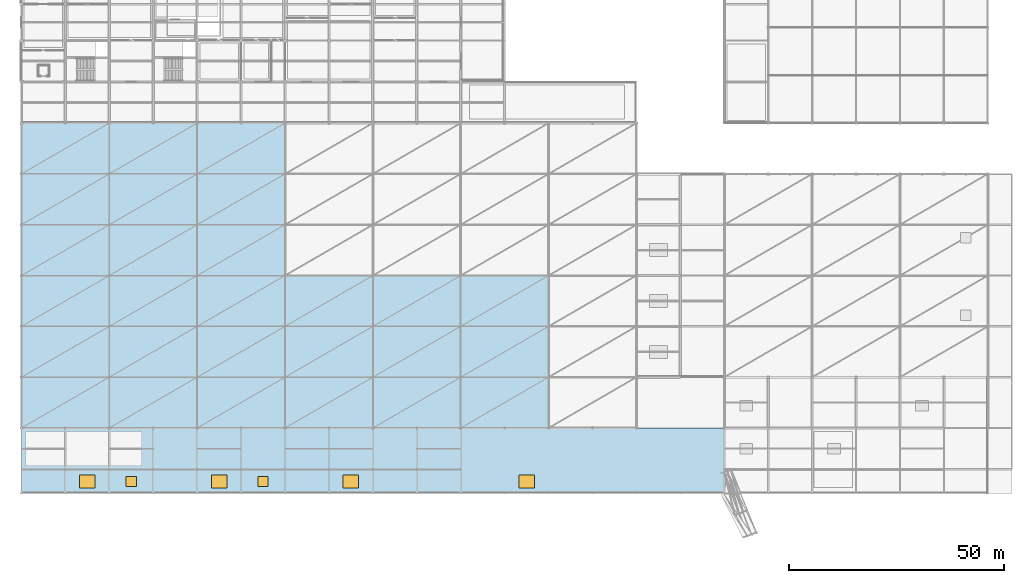
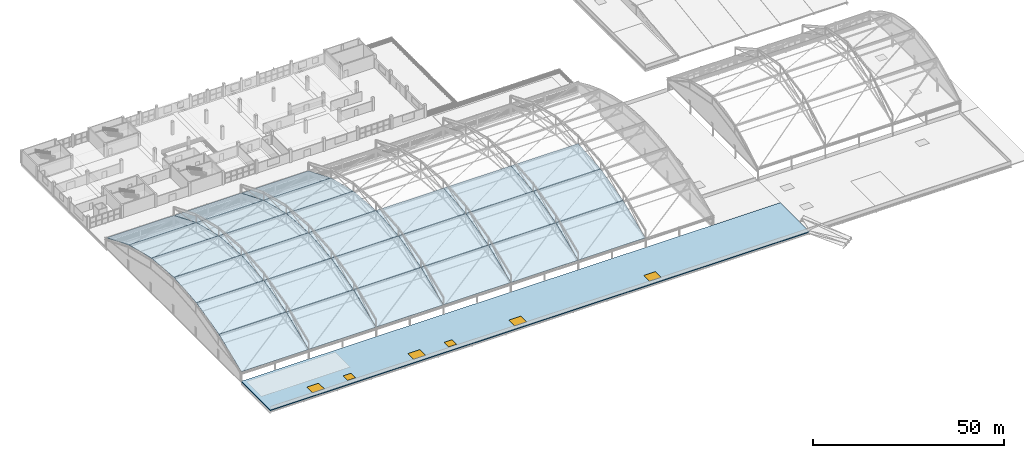
# One storey, part 107 of 135: 28 slabs, 6 windows, 6 openings.
"""IFC4 building model written with IfcOpenShell, lengths in metres."""

from ifc_helpers import new_model, si_unit, direction, frame, origin, origin_2d, place, context, subcontext, project, spatial, polyline, rectangle, outline, extrude, material, layer, layer_set, type_object, element, fill, save


model = new_model("IFC4")

# Units and contexts
model_context = context("Model", 3, precision=1e-05, world=origin(), true_north=direction((0.0, 1.0)))
body_context = subcontext(model_context, "Body", "Model", "MODEL_VIEW")
ifc_project = project(units=[si_unit("LENGTHUNIT", "METRE"), si_unit("AREAUNIT", "SQUARE_METRE"), si_unit("VOLUMEUNIT", "CUBIC_METRE"), si_unit("PLANEANGLEUNIT", "RADIAN"), si_unit("MASSUNIT", "GRAM", prefix="KILO")], contexts=[model_context])

# Site, building, storey
site_placement = place(None, origin())
site = spatial("IfcSite", under=ifc_project, at=site_placement, CompositionType="ELEMENT")
building_placement = place(site_placement, origin())
building = spatial("IfcBuilding", under=site, at=building_placement, Name="Brelvane Convention Centre", CompositionType="ELEMENT")
storey_placement = place(building_placement, frame((0.0, 0.0, 15.0)))
storey = spatial("IfcBuildingStorey", under=building, at=storey_placement, Name="L03", CompositionType="ELEMENT", Elevation=15.0)

# Slab, openings, windows
ifc_material_1 = material(Name="Concrete M40", Category="concrete")
ifc_layer_1 = layer(ifc_material_1, 0.300048828125)
ifc_layer_set_1 = layer_set([ifc_layer_1], Name="Concrete M40")
slab_type_1 = type_object("IfcSlabType", Name="Structural Slab SL-ROOF-230", PredefinedType="ROOF", material=ifc_layer_set_1)
slab_1_placement = place(storey_placement, frame((0.0, 0.0, -0.300048828125)))
slab_1 = element("IfcSlab", 1, at=slab_1_placement, inside=storey, type_object=slab_type_1, Name="L03 LowRoof Slab V1G-ROOF", PredefinedType="ROOF", context=body_context, shape_type="SweptSolid", body=[
    extrude(outline(polyline([(0.0, 13.60009765625), (163.199951171875, 13.60009765625), (163.199951171875, 28.800048828125), (0.0, 28.800048828125), (0.0, 13.60009765625)])), origin(), (0.0, 0.0, 1.0), 0.300048828125),
])
opening_1_placement = place(slab_1_placement, frame((15.300048828125, 16.39990234375, 0.0)))
opening_1 = element("IfcOpeningElement", 2, at=opening_1_placement, cuts=slab_1, Name="Opening SK-02", PredefinedType="OPENING", context=body_context, shape_type="SweptSolid", body=[
    extrude(rectangle(XDim=3.60009765625, YDim=3.0, at=origin_2d()), origin(), (0.0, 0.0, 1.0), 0.300048828125),
])
opening_2_placement = place(slab_1_placement, frame((45.89990234375, 16.39990234375, 0.0)))
opening_2 = element("IfcOpeningElement", 3, at=opening_2_placement, cuts=slab_1, Name="Opening SK-02", PredefinedType="OPENING", context=body_context, shape_type="SweptSolid", body=[
    extrude(rectangle(XDim=3.60009765625, YDim=3.0, at=origin_2d()), origin(), (0.0, 0.0, 1.0), 0.300048828125),
])
opening_3_placement = place(slab_1_placement, frame((76.5, 16.39990234375, 0.0)))
opening_3 = element("IfcOpeningElement", 4, at=opening_3_placement, cuts=slab_1, Name="Opening SK-02", PredefinedType="OPENING", context=body_context, shape_type="SweptSolid", body=[
    extrude(rectangle(XDim=3.60009765625, YDim=3.0, at=origin_2d()), origin(), (0.0, 0.0, 1.0), 0.300048828125),
])
opening_4_placement = place(slab_1_placement, frame((117.300048828125, 16.39990234375, 0.0)))
opening_4 = element("IfcOpeningElement", 5, at=opening_4_placement, cuts=slab_1, Name="Opening SK-02", PredefinedType="OPENING", context=body_context, shape_type="SweptSolid", body=[
    extrude(rectangle(XDim=3.60009765625, YDim=3.0, at=origin_2d()), origin(), (0.0, 0.0, 1.0), 0.300048828125),
])
opening_5_placement = place(slab_1_placement, frame((25.5, 16.39990234375, 0.0)))
opening_5 = element("IfcOpeningElement", 6, at=opening_5_placement, cuts=slab_1, Name="Opening SK-04", PredefinedType="OPENING", context=body_context, shape_type="SweptSolid", body=[
    extrude(rectangle(XDim=2.39990234375, YDim=2.39990234375, at=origin_2d()), origin(), (0.0, 0.0, 1.0), 0.300048828125),
])
opening_6_placement = place(slab_1_placement, frame((56.10009765625, 16.39990234375, 0.0)))
opening_6 = element("IfcOpeningElement", 7, at=opening_6_placement, cuts=slab_1, Name="Opening SK-04", PredefinedType="OPENING", context=body_context, shape_type="SweptSolid", body=[
    extrude(rectangle(XDim=2.39990234375, YDim=2.39990234375, at=origin_2d()), origin(), (0.0, 0.0, 1.0), 0.300048828125),
])
ifc_material_2 = material(Name="Double Glazed Low-E Laminated Unit")
window_type_1 = type_object("IfcWindowType", Name="Window SK-02", PartitioningType="DOUBLE_PANEL_HORIZONTAL", PredefinedType="SKYLIGHT", material=ifc_material_2)
window_1_placement = place(opening_1_placement, frame((0.0, 0.0, 0.25)))
window_1 = element("IfcWindow", 8, at=window_1_placement, inside=storey, type_object=window_type_1, Name="Roof Skylight L03-SK01", OverallHeight=3.0, OverallWidth=3.60009765625, PartitioningType="SINGLE_PANEL", PredefinedType="SKYLIGHT", context=body_context, shape_type="SweptSolid", body=[
    extrude(rectangle(XDim=3.60009765625, YDim=3.0, at=origin_2d()), origin(), (0.0, 0.0, 1.0), 0.050048828125),
])
fill(opening_1, window_1)
window_2_placement = place(opening_2_placement, frame((0.0, 0.0, 0.25)))
window_2 = element("IfcWindow", 9, at=window_2_placement, inside=storey, type_object=window_type_1, Name="Roof Skylight L03-SK02", OverallHeight=3.0, OverallWidth=3.60009765625, PartitioningType="SINGLE_PANEL", PredefinedType="SKYLIGHT", context=body_context, shape_type="SweptSolid", body=[
    extrude(rectangle(XDim=3.60009765625, YDim=3.0, at=origin_2d()), origin(), (0.0, 0.0, 1.0), 0.050048828125),
])
fill(opening_2, window_2)
window_3_placement = place(opening_3_placement, frame((0.0, 0.0, 0.25)))
window_3 = element("IfcWindow", 10, at=window_3_placement, inside=storey, type_object=window_type_1, Name="Roof Skylight L03-SK03", OverallHeight=3.0, OverallWidth=3.60009765625, PartitioningType="SINGLE_PANEL", PredefinedType="SKYLIGHT", context=body_context, shape_type="SweptSolid", body=[
    extrude(rectangle(XDim=3.60009765625, YDim=3.0, at=origin_2d()), origin(), (0.0, 0.0, 1.0), 0.050048828125),
])
fill(opening_3, window_3)
window_4_placement = place(opening_4_placement, frame((0.0, 0.0, 0.25)))
window_4 = element("IfcWindow", 11, at=window_4_placement, inside=storey, type_object=window_type_1, Name="Roof Skylight L03-SK04", OverallHeight=3.0, OverallWidth=3.60009765625, PartitioningType="SINGLE_PANEL", PredefinedType="SKYLIGHT", context=body_context, shape_type="SweptSolid", body=[
    extrude(rectangle(XDim=3.60009765625, YDim=3.0, at=origin_2d()), origin(), (0.0, 0.0, 1.0), 0.050048828125),
])
fill(opening_4, window_4)
ifc_material_3 = material(Name="Double Glazed Low-E Laminated Unit")
window_type_2 = type_object("IfcWindowType", Name="Window SK-04", PartitioningType="SINGLE_PANEL", PredefinedType="SKYLIGHT", material=ifc_material_3)
window_5_placement = place(opening_5_placement, frame((0.0, 0.0, 0.25)))
window_5 = element("IfcWindow", 12, at=window_5_placement, inside=storey, type_object=window_type_2, Name="Roof Skylight L03-SK12", OverallHeight=2.39990234375, OverallWidth=2.39990234375, PartitioningType="SINGLE_PANEL", PredefinedType="SKYLIGHT", context=body_context, shape_type="SweptSolid", body=[
    extrude(rectangle(XDim=2.39990234375, YDim=2.39990234375, at=origin_2d()), origin(), (0.0, 0.0, 1.0), 0.050048828125),
])
fill(opening_5, window_5)
window_6_placement = place(opening_6_placement, frame((0.0, 0.0, 0.25)))
window_6 = element("IfcWindow", 13, at=window_6_placement, inside=storey, type_object=window_type_2, Name="Roof Skylight L03-SK13", OverallHeight=2.39990234375, OverallWidth=2.39990234375, PartitioningType="SINGLE_PANEL", PredefinedType="SKYLIGHT", context=body_context, shape_type="SweptSolid", body=[
    extrude(rectangle(XDim=2.39990234375, YDim=2.39990234375, at=origin_2d()), origin(), (0.0, 0.0, 1.0), 0.050048828125),
])
fill(opening_6, window_6)

# Slabs
ifc_material_4 = material(Name="Steel E350 (350 MPa)", Category="steel")
ifc_layer_2 = layer(ifc_material_4, 0.179931640625)
ifc_layer_set_2 = layer_set([ifc_layer_2], Name="Steel E350 (350 MPa)")
slab_type_2 = type_object("IfcSlabType", Name="Structural Slab SL-ROOF-SF-180", PredefinedType="ROOF", material=ifc_layer_set_2)
slab_2_placement = place(storey_placement, frame((0.02001953125, 28.840087890625, 3.02001953125), z_axis=(0.0, -0.382743847584, 0.923854505394), x_axis=(1.0, 0.0, 0.0)))
element("IfcSlab", 14, at=slab_2_placement, inside=storey, type_object=slab_type_2, Name="SF_EXH Space-Frame Roof Panel B1-F1", PredefinedType="ROOF", context=body_context, shape_type="SweptSolid", body=[
    extrude(outline(polyline([(0.0, 0.0), (20.35986328125, 0.0), (20.35986328125, 12.685948528365344), (0.0, 12.685948528365344), (0.0, 0.0)])), origin(), (0.0, 0.0, -1.0), 0.179931640625),
])
slab_3_placement = place(storey_placement, frame((0.02001953125, 40.639892578125, 7.902099609375), z_axis=(0.0, -0.241251137104, 0.970462718937), x_axis=(1.0, 0.0, 0.0)))
element("IfcSlab", 15, at=slab_3_placement, inside=storey, type_object=slab_type_2, Name="SF_EXH Space-Frame Roof Panel B1-F2", PredefinedType="ROOF", context=body_context, shape_type="SweptSolid", body=[
    extrude(outline(polyline([(0.0, 0.0), (20.35986328125, 0.0), (20.35986328125, 12.07693465709832), (0.0, 12.07693465709832), (0.0, 0.0)])), origin(), (0.0, 0.0, -1.0), 0.179931640625),
])
for number, where, z_axis, x_axis, name in (
    (16, (0.02001953125, 52.43994140625, 10.828857421875), (0.0, -0.082583310202, 0.996584164472), (1.0, 0.0, 0.0), "SF_EXH Space-Frame Roof Panel B1-F3"),
    (17, (0.02001953125, 64.239990234375, 11.800048828125), (0.0, 0.082583310202, 0.996584164472), (1.0, 0.0, 0.0), "SF_EXH Space-Frame Roof Panel B1-F4"),
):
    element("IfcSlab", number, at=place(storey_placement, frame(where, z_axis=z_axis, x_axis=x_axis)), inside=storey, type_object=slab_type_2, Name=name, PredefinedType="ROOF", context=body_context, shape_type="SweptSolid", body=[
        extrude(outline(polyline([(0.0, 0.0), (20.35986328125, 0.0), (20.35986328125, 11.760141411976395), (0.0, 11.760141411976395), (0.0, 0.0)])), origin(), (0.0, 0.0, -1.0), 0.179931640625),
    ])
slab_4_placement = place(storey_placement, frame((0.02001953125, 76.0400390625, 10.815673828125), z_axis=(0.0, 0.24125587014, 0.970461542321), x_axis=(1.0, 0.0, 0.0)))
element("IfcSlab", 18, at=slab_4_placement, inside=storey, type_object=slab_type_2, Name="SF_EXH Space-Frame Roof Panel B1-F5", PredefinedType="ROOF", context=body_context, shape_type="SweptSolid", body=[
    extrude(outline(polyline([(0.0, 0.0), (20.35986328125, 0.0), (20.35986328125, 12.07669772786721), (0.0, 12.07669772786721), (0.0, 0.0)])), origin(), (0.0, 0.0, -1.0), 0.179931640625),
])
slab_5_placement = place(storey_placement, frame((0.02001953125, 87.840087890625, 7.87548828125), z_axis=(0.0, 0.382743847584, 0.923854505394), x_axis=(1.0, 0.0, 0.0)))
element("IfcSlab", 19, at=slab_5_placement, inside=storey, type_object=slab_type_2, Name="SF_EXH Space-Frame Roof Panel B1-F6", PredefinedType="ROOF", context=body_context, shape_type="SweptSolid", body=[
    extrude(outline(polyline([(0.0, 0.0), (20.35986328125, 0.0), (20.35986328125, 12.685948528365344), (0.0, 12.685948528365344), (0.0, 0.0)])), origin(), (0.0, 0.0, -1.0), 0.179931640625),
])
slab_6_placement = place(storey_placement, frame((20.419921875, 28.840087890625, 3.02001953125), z_axis=(0.0, -0.382743847584, 0.923854505394), x_axis=(1.0, 0.0, 0.0)))
element("IfcSlab", 20, at=slab_6_placement, inside=storey, type_object=slab_type_2, Name="SF_EXH Space-Frame Roof Panel B2-F1", PredefinedType="ROOF", context=body_context, shape_type="SweptSolid", body=[
    extrude(outline(polyline([(0.0, 0.0), (20.360107421875, 0.0), (20.360107421875, 12.685948528365344), (0.0, 12.685948528365344), (0.0, 0.0)])), origin(), (0.0, 0.0, -1.0), 0.179931640625),
])
slab_7_placement = place(storey_placement, frame((20.419921875, 40.639892578125, 7.902099609375), z_axis=(0.0, -0.241251137104, 0.970462718937), x_axis=(1.0, 0.0, 0.0)))
element("IfcSlab", 21, at=slab_7_placement, inside=storey, type_object=slab_type_2, Name="SF_EXH Space-Frame Roof Panel B2-F2", PredefinedType="ROOF", context=body_context, shape_type="SweptSolid", body=[
    extrude(outline(polyline([(0.0, 0.0), (20.360107421875, 0.0), (20.360107421875, 12.07693465709832), (0.0, 12.07693465709832), (0.0, 0.0)])), origin(), (0.0, 0.0, -1.0), 0.179931640625),
])
for number, where, z_axis, x_axis, name in (
    (22, (20.419921875, 52.43994140625, 10.828857421875), (0.0, -0.082583310202, 0.996584164472), (1.0, 0.0, 0.0), "SF_EXH Space-Frame Roof Panel B2-F3"),
    (23, (20.419921875, 64.239990234375, 11.800048828125), (0.0, 0.082583310202, 0.996584164472), (1.0, 0.0, 0.0), "SF_EXH Space-Frame Roof Panel B2-F4"),
):
    element("IfcSlab", number, at=place(storey_placement, frame(where, z_axis=z_axis, x_axis=x_axis)), inside=storey, type_object=slab_type_2, Name=name, PredefinedType="ROOF", context=body_context, shape_type="SweptSolid", body=[
        extrude(outline(polyline([(0.0, 0.0), (20.360107421875, 0.0), (20.360107421875, 11.760141411976395), (0.0, 11.760141411976395), (0.0, 0.0)])), origin(), (0.0, 0.0, -1.0), 0.179931640625),
    ])
slab_8_placement = place(storey_placement, frame((20.419921875, 76.0400390625, 10.815673828125), z_axis=(0.0, 0.24125587014, 0.970461542321), x_axis=(1.0, 0.0, 0.0)))
element("IfcSlab", 24, at=slab_8_placement, inside=storey, type_object=slab_type_2, Name="SF_EXH Space-Frame Roof Panel B2-F5", PredefinedType="ROOF", context=body_context, shape_type="SweptSolid", body=[
    extrude(outline(polyline([(0.0, 0.0), (20.360107421875, 0.0), (20.360107421875, 12.076697727867208), (0.0, 12.076697727867208), (0.0, 0.0)])), origin(), (0.0, 0.0, -1.0), 0.179931640625),
])
slab_9_placement = place(storey_placement, frame((20.419921875, 87.840087890625, 7.87548828125), z_axis=(0.0, 0.382743847584, 0.923854505394), x_axis=(1.0, 0.0, 0.0)))
element("IfcSlab", 25, at=slab_9_placement, inside=storey, type_object=slab_type_2, Name="SF_EXH Space-Frame Roof Panel B2-F6", PredefinedType="ROOF", context=body_context, shape_type="SweptSolid", body=[
    extrude(outline(polyline([(0.0, 0.0), (20.360107421875, 0.0), (20.360107421875, 12.685948528365344), (0.0, 12.685948528365344), (0.0, 0.0)])), origin(), (0.0, 0.0, -1.0), 0.179931640625),
])
slab_10_placement = place(storey_placement, frame((40.820068359375, 28.840087890625, 3.02001953125), z_axis=(0.0, -0.382743847584, 0.923854505394), x_axis=(1.0, 0.0, 0.0)))
element("IfcSlab", 26, at=slab_10_placement, inside=storey, type_object=slab_type_2, Name="SF_EXH Space-Frame Roof Panel B3-F1", PredefinedType="ROOF", context=body_context, shape_type="SweptSolid", body=[
    extrude(outline(polyline([(0.0, 0.0), (20.35986328125, 0.0), (20.35986328125, 12.685948528365344), (0.0, 12.685948528365344), (0.0, 0.0)])), origin(), (0.0, 0.0, -1.0), 0.179931640625),
])
slab_11_placement = place(storey_placement, frame((40.820068359375, 40.639892578125, 7.902099609375), z_axis=(0.0, -0.241251137104, 0.970462718937), x_axis=(1.0, 0.0, 0.0)))
element("IfcSlab", 27, at=slab_11_placement, inside=storey, type_object=slab_type_2, Name="SF_EXH Space-Frame Roof Panel B3-F2", PredefinedType="ROOF", context=body_context, shape_type="SweptSolid", body=[
    extrude(outline(polyline([(0.0, 0.0), (20.35986328125, 0.0), (20.35986328125, 12.07693465709832), (0.0, 12.07693465709832), (0.0, 0.0)])), origin(), (0.0, 0.0, -1.0), 0.179931640625),
])
for number, where, z_axis, x_axis, name in (
    (28, (40.820068359375, 52.43994140625, 10.828857421875), (0.0, -0.082583310202, 0.996584164472), (1.0, 0.0, 0.0), "SF_EXH Space-Frame Roof Panel B3-F3"),
    (29, (40.820068359375, 64.239990234375, 11.800048828125), (0.0, 0.082583310202, 0.996584164472), (1.0, 0.0, 0.0), "SF_EXH Space-Frame Roof Panel B3-F4"),
):
    element("IfcSlab", number, at=place(storey_placement, frame(where, z_axis=z_axis, x_axis=x_axis)), inside=storey, type_object=slab_type_2, Name=name, PredefinedType="ROOF", context=body_context, shape_type="SweptSolid", body=[
        extrude(outline(polyline([(0.0, 0.0), (20.35986328125, 0.0), (20.35986328125, 11.760141411976395), (0.0, 11.760141411976395), (0.0, 0.0)])), origin(), (0.0, 0.0, -1.0), 0.179931640625),
    ])
slab_12_placement = place(storey_placement, frame((40.820068359375, 76.0400390625, 10.815673828125), z_axis=(0.0, 0.24125587014, 0.970461542321), x_axis=(1.0, 0.0, 0.0)))
element("IfcSlab", 30, at=slab_12_placement, inside=storey, type_object=slab_type_2, Name="SF_EXH Space-Frame Roof Panel B3-F5", PredefinedType="ROOF", context=body_context, shape_type="SweptSolid", body=[
    extrude(outline(polyline([(0.0, 0.0), (20.35986328125, 0.0), (20.35986328125, 12.07669772786721), (0.0, 12.07669772786721), (0.0, 0.0)])), origin(), (0.0, 0.0, -1.0), 0.179931640625),
])
slab_13_placement = place(storey_placement, frame((40.820068359375, 87.840087890625, 7.87548828125), z_axis=(0.0, 0.382743847584, 0.923854505394), x_axis=(1.0, 0.0, 0.0)))
element("IfcSlab", 31, at=slab_13_placement, inside=storey, type_object=slab_type_2, Name="SF_EXH Space-Frame Roof Panel B3-F6", PredefinedType="ROOF", context=body_context, shape_type="SweptSolid", body=[
    extrude(outline(polyline([(0.0, 0.0), (20.35986328125, 0.0), (20.35986328125, 12.685948528365344), (0.0, 12.685948528365344), (0.0, 0.0)])), origin(), (0.0, 0.0, -1.0), 0.179931640625),
])
slab_14_placement = place(storey_placement, frame((61.219970703125, 28.840087890625, 3.02001953125), z_axis=(0.0, -0.382743847584, 0.923854505394), x_axis=(1.0, 0.0, 0.0)))
element("IfcSlab", 32, at=slab_14_placement, inside=storey, type_object=slab_type_2, Name="SF_EXH Space-Frame Roof Panel B4-F1", PredefinedType="ROOF", context=body_context, shape_type="SweptSolid", body=[
    extrude(outline(polyline([(0.0, 0.0), (20.360107421875, 0.0), (20.360107421875, 12.685948528365344), (0.0, 12.685948528365344), (0.0, 0.0)])), origin(), (0.0, 0.0, -1.0), 0.179931640625),
])
slab_15_placement = place(storey_placement, frame((61.219970703125, 40.639892578125, 7.902099609375), z_axis=(0.0, -0.241251137104, 0.970462718937), x_axis=(1.0, 0.0, 0.0)))
element("IfcSlab", 33, at=slab_15_placement, inside=storey, type_object=slab_type_2, Name="SF_EXH Space-Frame Roof Panel B4-F2", PredefinedType="ROOF", context=body_context, shape_type="SweptSolid", body=[
    extrude(outline(polyline([(0.0, 0.0), (20.360107421875, 0.0), (20.360107421875, 12.07693465709832), (0.0, 12.07693465709832), (0.0, 0.0)])), origin(), (0.0, 0.0, -1.0), 0.179931640625),
])
slab_16_placement = place(storey_placement, frame((61.219970703125, 52.43994140625, 10.828857421875), z_axis=(0.0, -0.082583310202, 0.996584164472), x_axis=(1.0, 0.0, 0.0)))
element("IfcSlab", 34, at=slab_16_placement, inside=storey, type_object=slab_type_2, Name="SF_EXH Space-Frame Roof Panel B4-F3", PredefinedType="ROOF", context=body_context, shape_type="SweptSolid", body=[
    extrude(outline(polyline([(0.0, 0.0), (20.360107421875, 0.0), (20.360107421875, 11.760141411976395), (0.0, 11.760141411976395), (0.0, 0.0)])), origin(), (0.0, 0.0, -1.0), 0.179931640625),
])
slab_17_placement = place(storey_placement, frame((81.6201171875, 28.840087890625, 3.02001953125), z_axis=(0.0, -0.382743847584, 0.923854505394), x_axis=(1.0, 0.0, 0.0)))
element("IfcSlab", 35, at=slab_17_placement, inside=storey, type_object=slab_type_2, Name="SF_EXH Space-Frame Roof Panel B5-F1", PredefinedType="ROOF", context=body_context, shape_type="SweptSolid", body=[
    extrude(outline(polyline([(0.0, 0.0), (20.35986328125, 0.0), (20.35986328125, 12.685948528365344), (0.0, 12.685948528365344), (0.0, 0.0)])), origin(), (0.0, 0.0, -1.0), 0.179931640625),
])
slab_18_placement = place(storey_placement, frame((81.6201171875, 40.639892578125, 7.902099609375), z_axis=(0.0, -0.241251137104, 0.970462718937), x_axis=(1.0, 0.0, 0.0)))
element("IfcSlab", 36, at=slab_18_placement, inside=storey, type_object=slab_type_2, Name="SF_EXH Space-Frame Roof Panel B5-F2", PredefinedType="ROOF", context=body_context, shape_type="SweptSolid", body=[
    extrude(outline(polyline([(0.0, 0.0), (20.35986328125, 0.0), (20.35986328125, 12.07693465709832), (0.0, 12.07693465709832), (0.0, 0.0)])), origin(), (0.0, 0.0, -1.0), 0.179931640625),
])
slab_19_placement = place(storey_placement, frame((81.6201171875, 52.43994140625, 10.828857421875), z_axis=(0.0, -0.082583310202, 0.996584164472), x_axis=(1.0, 0.0, 0.0)))
element("IfcSlab", 37, at=slab_19_placement, inside=storey, type_object=slab_type_2, Name="SF_EXH Space-Frame Roof Panel B5-F3", PredefinedType="ROOF", context=body_context, shape_type="SweptSolid", body=[
    extrude(outline(polyline([(0.0, 0.0), (20.35986328125, 0.0), (20.35986328125, 11.760141411976395), (0.0, 11.760141411976395), (0.0, 0.0)])), origin(), (0.0, 0.0, -1.0), 0.179931640625),
])
slab_20_placement = place(storey_placement, frame((102.02001953125, 28.840087890625, 3.02001953125), z_axis=(0.0, -0.382743847584, 0.923854505394), x_axis=(1.0, 0.0, 0.0)))
element("IfcSlab", 38, at=slab_20_placement, inside=storey, type_object=slab_type_2, Name="SF_EXH Space-Frame Roof Panel B6-F1", PredefinedType="ROOF", context=body_context, shape_type="SweptSolid", body=[
    extrude(outline(polyline([(0.0, 0.0), (20.35986328125, 0.0), (20.35986328125, 12.685948528365344), (0.0, 12.685948528365344), (0.0, 0.0)])), origin(), (0.0, 0.0, -1.0), 0.179931640625),
])
slab_21_placement = place(storey_placement, frame((102.02001953125, 40.639892578125, 7.902099609375), z_axis=(0.0, -0.241251137104, 0.970462718937), x_axis=(1.0, 0.0, 0.0)))
element("IfcSlab", 39, at=slab_21_placement, inside=storey, type_object=slab_type_2, Name="SF_EXH Space-Frame Roof Panel B6-F2", PredefinedType="ROOF", context=body_context, shape_type="SweptSolid", body=[
    extrude(outline(polyline([(0.0, 0.0), (20.35986328125, 0.0), (20.35986328125, 12.07693465709832), (0.0, 12.07693465709832), (0.0, 0.0)])), origin(), (0.0, 0.0, -1.0), 0.179931640625),
])
slab_22_placement = place(storey_placement, frame((102.02001953125, 52.43994140625, 10.828857421875), z_axis=(0.0, -0.082583310202, 0.996584164472), x_axis=(1.0, 0.0, 0.0)))
element("IfcSlab", 40, at=slab_22_placement, inside=storey, type_object=slab_type_2, Name="SF_EXH Space-Frame Roof Panel B6-F3", PredefinedType="ROOF", context=body_context, shape_type="SweptSolid", body=[
    extrude(outline(polyline([(0.0, 0.0), (20.35986328125, 0.0), (20.35986328125, 11.760141411976395), (0.0, 11.760141411976395), (0.0, 0.0)])), origin(), (0.0, 0.0, -1.0), 0.179931640625),
])

save(model, "model.ifc")
